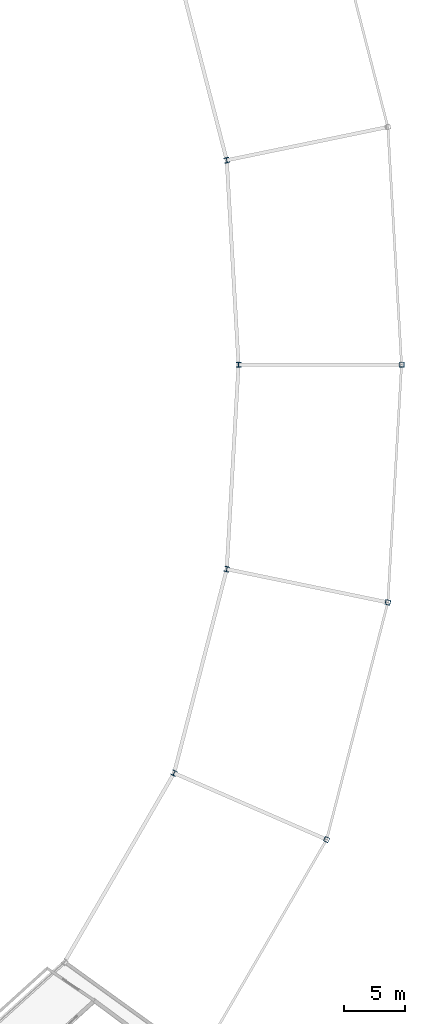
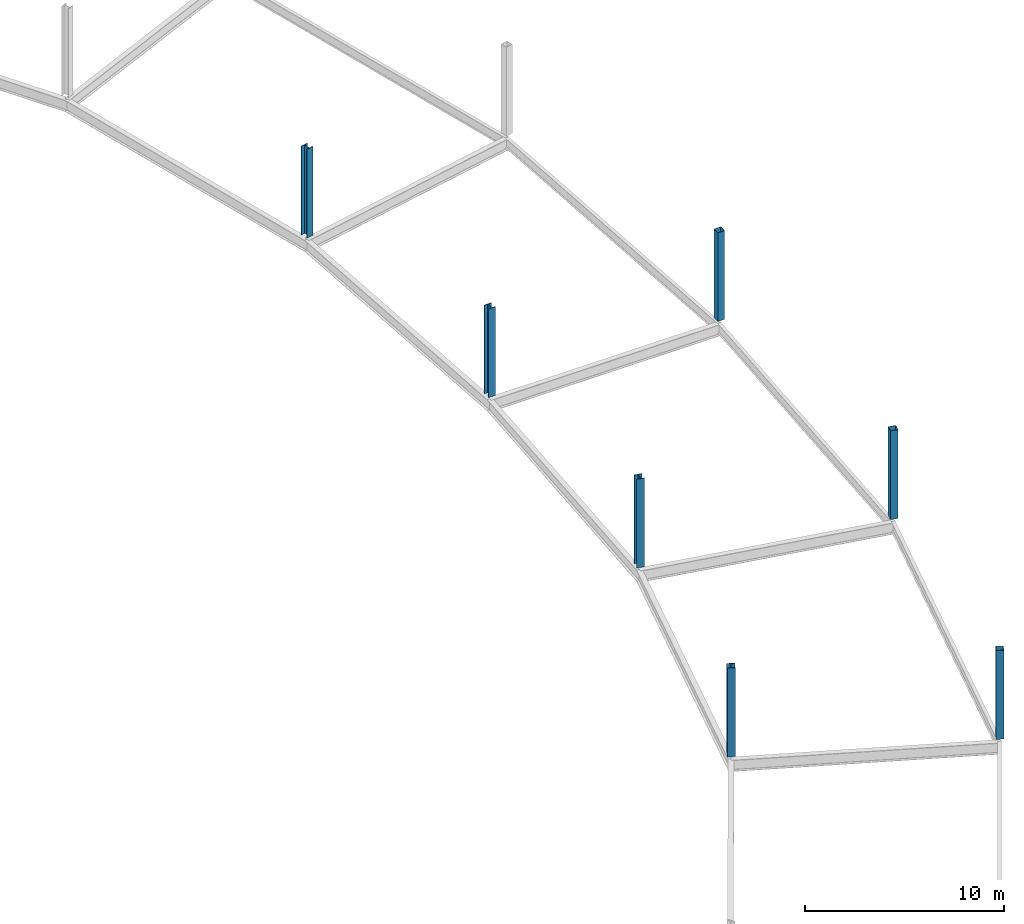
# One storey, part 7 of 86: 7 columns.
"""IFC4 building model written with IfcOpenShell, lengths in metres."""

from ifc_helpers import new_model, si_unit, direction, frame, origin, origin_2d, place, context, subcontext, project, spatial, hollow_rectangle, i_section, extrude, material, material_profile, profile_set, type_object, element, save


model = new_model("IFC4")

# Units and contexts
model_context = context("Model", 3, precision=1e-05, world=origin(), true_north=direction((0.0, 1.0)))
body_context = subcontext(model_context, "Body", "Model", "MODEL_VIEW")
ifc_project = project(units=[si_unit("LENGTHUNIT", "METRE"), si_unit("AREAUNIT", "SQUARE_METRE"), si_unit("VOLUMEUNIT", "CUBIC_METRE"), si_unit("PLANEANGLEUNIT", "RADIAN"), si_unit("MASSUNIT", "GRAM", prefix="KILO")], contexts=[model_context])

# Site, building, storey
site_placement = place(None, origin())
site = spatial("IfcSite", under=ifc_project, at=site_placement, CompositionType="ELEMENT")
building_placement = place(site_placement, origin())
building = spatial("IfcBuilding", under=site, at=building_placement, Name="Kazemori Nagisa Stadium", CompositionType="ELEMENT")
storey_placement = place(building_placement, frame((0.0, 0.0, 31.280029296875)))
storey = spatial("IfcBuildingStorey", under=building, at=storey_placement, Name="L06", CompositionType="ELEMENT", Elevation=31.280029296875)

# Columns
ifc_material_1 = material(Name="Steel SN490B", Category="steel")
ifc_material_profile_1 = material_profile(ifc_material_1, i_section(OverallWidth=0.406982421875, OverallDepth=0.427978515625, WebThickness=0.02001953125, FlangeThickness=0.034912109375, FilletRadius=0.012939453125, at=origin_2d()), Name="H-428x407x20x35")
ifc_profile_set_1 = profile_set([ifc_material_profile_1], Name="Steel SN490B")
column_type_1 = type_object("IfcColumnType", Name="Column_C-H428", PredefinedType="COLUMN", material=ifc_profile_set_1)
for number, where, z_axis, x_axis, name in (
    (1, (204.699951171875, 102.0, 0.0), (0.0, 0.0, 1.0), (1.0, 0.0, 0.0), "Column C-H428 L06 R2-01"),
    (2, (203.737548828125, 118.68212890625, 0.0), (0.0, 0.0, 1.0), (0.974927912182, 0.222520933954, 0.0), "Column C-H428 L06 R2-02"),
    (3, (199.44091796875, 68.67529296875, 0.0), (0.0, 0.0, 1.0), (0.900968867905, -0.433883739113, 0.0), "Column C-H428 L06 R2-27"),
    (4, (203.737548828125, 85.31787109375, 0.0), (0.0, 0.0, 1.0), (0.974927912182, -0.222520933954, 0.0), "Column C-H428 L06 R2-28"),
):
    element("IfcColumn", number, at=place(storey_placement, frame(where, z_axis=z_axis, x_axis=x_axis)), inside=storey, type_object=column_type_1, Name=name, PredefinedType="COLUMN", context=body_context, shape_type="SweptSolid", body=[
        extrude(i_section(OverallWidth=0.406982421875, OverallDepth=0.427978515625, WebThickness=0.02001953125, FlangeThickness=0.034912109375, FilletRadius=0.012939453125, at=origin_2d()), origin(), (0.0, 0.0, 1.0), 5.43994140625),
    ])
ifc_material_2 = material(Name="Steel STKR490", Category="steel")
ifc_material_profile_2 = material_profile(ifc_material_2, hollow_rectangle(XDim=0.39990234375, YDim=0.39990234375, WallThickness=0.01904296875, at=origin_2d()), Name="SHS-400x400x19")
ifc_profile_set_2 = profile_set([ifc_material_profile_2], Name="Steel STKR490")
column_type_2 = type_object("IfcColumnType", Name="Column_C-ST400", PredefinedType="COLUMN", material=ifc_profile_set_2)
for number, where, z_axis, x_axis, name in (
    (5, (218.0, 102.0, 0.0), (0.0, 0.0, 1.0), (1.0, 0.0, 0.0), "Column C-ST400 L06 R3-01"),
    (6, (211.885009765625, 63.25048828125, 0.0), (0.0, 0.0, 1.0), (0.900968867905, -0.433883739113, 0.0), "Column C-ST400 L06 R3-27"),
    (7, (216.880859375, 82.602294921875, 0.0), (0.0, 0.0, 1.0), (0.974927912182, -0.222520933954, 0.0), "Column C-ST400 L06 R3-28"),
):
    element("IfcColumn", number, at=place(storey_placement, frame(where, z_axis=z_axis, x_axis=x_axis)), inside=storey, type_object=column_type_2, Name=name, PredefinedType="COLUMN", context=body_context, shape_type="SweptSolid", body=[
        extrude(hollow_rectangle(XDim=0.39990234375, YDim=0.39990234375, WallThickness=0.01904296875, at=origin_2d()), origin(), (0.0, 0.0, 1.0), 5.43994140625),
    ])

save(model, "model.ifc")
